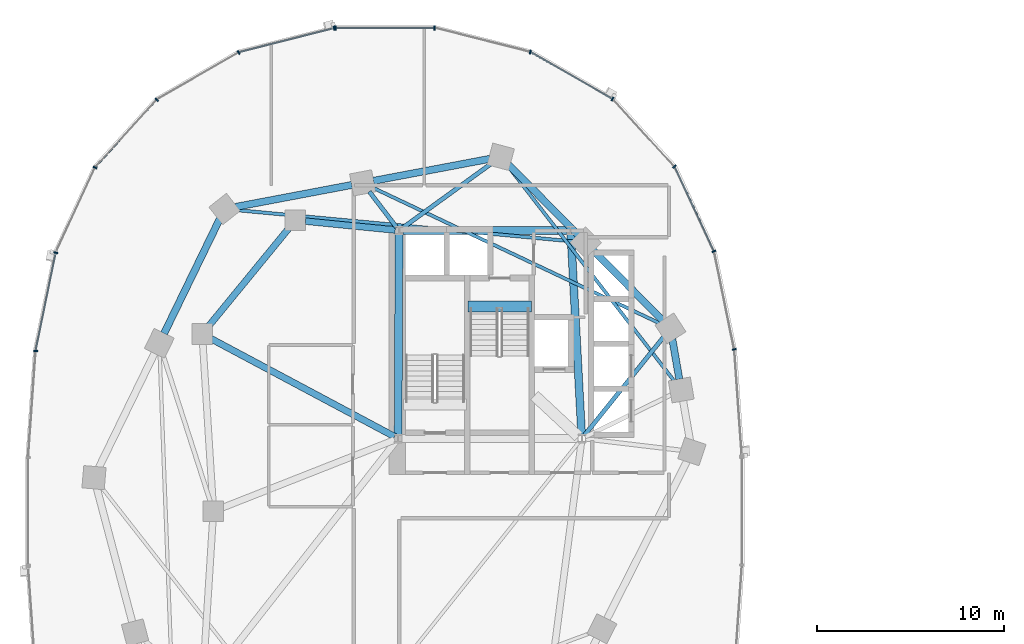
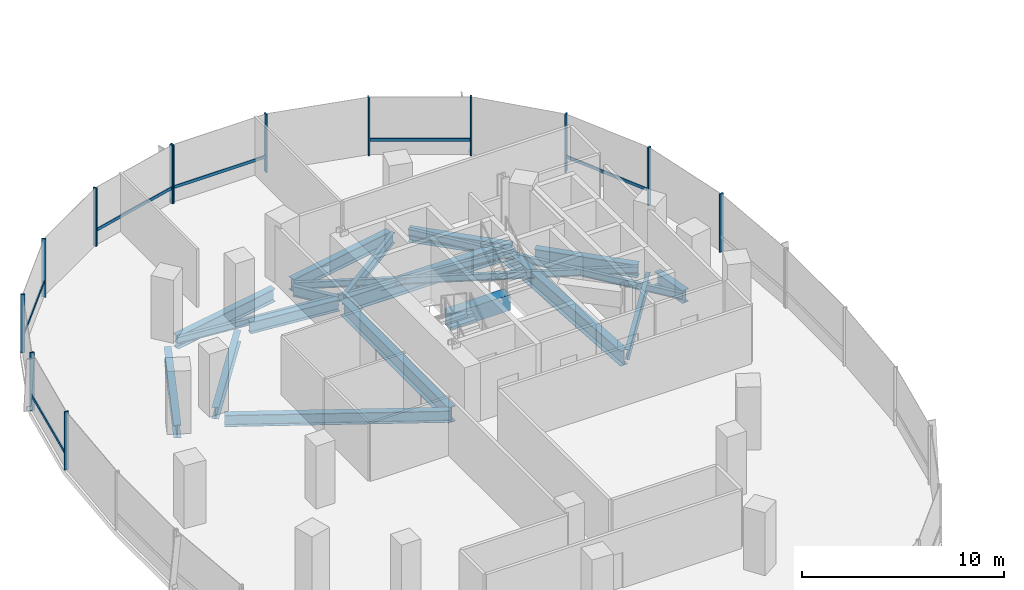
# One storey, part 4 of 21: 19 beams, 19 members, 2 elements without a shape of their own.
"""IFC4 building model written with IfcOpenShell, lengths in metres."""

from ifc_helpers import new_model, si_unit, direction, frame, origin, origin_2d, place, context, subcontext, project, spatial, rectangle, i_section, extrude, material, material_profile, profile_set, type_object, element, aggregate, save


model = new_model("IFC4")

# Units and contexts
model_context = context("Model", 3, precision=1e-05, world=origin(), true_north=direction((0.0, 1.0)))
body_context = subcontext(model_context, "Body", "Model", "MODEL_VIEW")
ifc_project = project(units=[si_unit("LENGTHUNIT", "METRE"), si_unit("AREAUNIT", "SQUARE_METRE"), si_unit("VOLUMEUNIT", "CUBIC_METRE"), si_unit("PLANEANGLEUNIT", "RADIAN"), si_unit("MASSUNIT", "GRAM", prefix="KILO"), si_unit("THERMODYNAMICTEMPERATUREUNIT", "KELVIN"), si_unit("POWERUNIT", "WATT")], contexts=[model_context])

# Site, building, storey
site_placement = place(None, origin())
site = spatial("IfcSite", under=ifc_project, at=site_placement, CompositionType="ELEMENT")
building_placement = place(site_placement, origin())
building = spatial("IfcBuilding", under=site, at=building_placement, Name="Cundina Bronze Exchange", CompositionType="ELEMENT")
storey_placement = place(building_placement, frame((0.0, 0.0, 73.39990234375)))
storey = spatial("IfcBuildingStorey", under=building, at=storey_placement, Name="L18", CompositionType="ELEMENT", Elevation=73.39990234375)

# Beams
ifc_material_1 = material(Name="Concrete C60/75", Category="concrete")
ifc_material_profile_1 = material_profile(ifc_material_1, rectangle(XDim=0.60009765625, YDim=0.949951171875, at=origin_2d()), Name="RC600X950", Category="concrete")
ifc_profile_set_1 = profile_set([ifc_material_profile_1], Name="Concrete C60/75")
beam_type_1 = type_object("IfcBeamType", Name="BM-COUP-RC950", PredefinedType="LINTEL", material=ifc_profile_set_1)
beam_1_placement = place(storey_placement, frame((-27.56005859375, 10.97998046875, -0.474853515625), z_axis=(1.0, 0.0, 0.0), x_axis=(0.0, 1.0, 0.0)))
element("IfcBeam", 1, at=beam_1_placement, inside=storey, type_object=beam_type_1, Name="L18 Stair W2 Landing Header Beam", PredefinedType="LINTEL", context=body_context, shape_type="SweptSolid", body=[
    extrude(rectangle(XDim=0.60009765625, YDim=0.949951171875, at=origin_2d()), origin(), (0.0, 0.0, 1.0), 3.400146484375),
])
ifc_material_2 = material(Name="Steel ASTM A992 Grade 50", Category="steel")
ifc_material_profile_2 = material_profile(ifc_material_2, i_section(OverallWidth=0.22998046875, OverallDepth=0.616943359375, WebThickness=0.01318359375, FlangeThickness=0.022216796875, FilletRadius=0.013916015625, at=origin_2d()), Name="W24X94", Category="steel")
ifc_profile_set_2 = profile_set([ifc_material_profile_2], Name="Steel ASTM A992 Grade 50")
beam_type_2 = type_object("IfcBeamType", Name="BM-FLR-W24B", PredefinedType="BEAM", material=ifc_profile_set_2)
beam_2_placement = place(storey_placement, frame((-21.322021484375, 4.058837890625, -0.6083984375), z_axis=(0.627106366175, 0.778933633568, 0.0), x_axis=(-0.778933633568, 0.627106366175, 0.0)))
element("IfcBeam", 2, at=beam_2_placement, inside=storey, type_object=beam_type_2, Name="L18 Leg W Radial Floor Beam 02", PredefinedType="BEAM", context=body_context, shape_type="SweptSolid", body=[
    extrude(i_section(OverallWidth=0.22998046875, OverallDepth=0.616943359375, WebThickness=0.01318359375, FlangeThickness=0.022216796875, FilletRadius=0.013916015625, at=origin_2d()), origin(), (0.0, 0.0, 1.0), 6.78271484375),
])
beam_3_placement = place(storey_placement, frame((-31.084716796875, 15.169677734375, -0.6083984375), z_axis=(0.809700299677, 0.586843611794, 0.0), x_axis=(-0.586843611794, 0.809700299677, 0.0)))
element("IfcBeam", 3, at=beam_3_placement, inside=storey, type_object=beam_type_2, Name="L18 Leg W Radial Floor Beam 04", PredefinedType="BEAM", context=body_context, shape_type="SweptSolid", body=[
    extrude(i_section(OverallWidth=0.22998046875, OverallDepth=0.616943359375, WebThickness=0.01318359375, FlangeThickness=0.022216796875, FilletRadius=0.013916015625, at=origin_2d()), origin(), (0.0, 0.0, 1.0), 5.938720703125),
])
beam_4_placement = place(storey_placement, frame((-31.373779296875, 15.2119140625, -0.6083984375), z_axis=(-0.607468844289, 0.794343504548, 0.0), x_axis=(-0.794343504548, -0.607468844289, 0.0)))
element("IfcBeam", 4, at=beam_4_placement, inside=storey, type_object=beam_type_2, Name="L18 Leg W Radial Floor Beam 05", PredefinedType="BEAM", context=body_context, shape_type="SweptSolid", body=[
    extrude(i_section(OverallWidth=0.22998046875, OverallDepth=0.616943359375, WebThickness=0.01318359375, FlangeThickness=0.022216796875, FilletRadius=0.013916015625, at=origin_2d()), origin(), (0.0, 0.0, 1.0), 2.418212890625),
])
ifc_material_profile_3 = material_profile(ifc_material_2, i_section(OverallWidth=0.178955078125, OverallDepth=0.409912109375, WebThickness=0.0087890625, FlangeThickness=0.014404296875, FilletRadius=0.010986328125, at=origin_2d()), Name="W16X45", Category="steel")
ifc_profile_set_3 = profile_set([ifc_material_profile_3], Name="Steel ASTM A992 Grade 50")
beam_type_3 = type_object("IfcBeamType", Name="BM-JST-W16", PredefinedType="JOIST", material=ifc_profile_set_3)
beam_5_placement = place(storey_placement, frame((-16.48486328125, 6.965087890625, -0.5048828125), z_axis=(-0.612089386305, 0.790788583108, 0.0), x_axis=(-0.790788583108, -0.612089386305, 0.0)))
element("IfcBeam", 5, at=beam_5_placement, inside=storey, type_object=beam_type_3, Name="L18 Leg W Lobe Floor Joist 01-04", PredefinedType="JOIST", context=body_context, shape_type="SweptSolid", body=[
    extrude(i_section(OverallWidth=0.178955078125, OverallDepth=0.409912109375, WebThickness=0.0087890625, FlangeThickness=0.014404296875, FilletRadius=0.010986328125, at=origin_2d()), origin(), (0.0, 0.0, 1.0), 14.630859375),
])
beam_6_placement = place(storey_placement, frame((-17.231689453125, 10.05126953125, -0.5048828125), z_axis=(-0.904072668297, 0.427378766949, 0.0), x_axis=(-0.427378766949, -0.904072668297, 0.0)))
element("IfcBeam", 6, at=beam_6_placement, inside=storey, type_object=beam_type_3, Name="L18 Leg W Lobe Floor Joist 02-05", PredefinedType="JOIST", context=body_context, shape_type="SweptSolid", body=[
    extrude(i_section(OverallWidth=0.178955078125, OverallDepth=0.409912109375, WebThickness=0.0087890625, FlangeThickness=0.014404296875, FilletRadius=0.010986328125, at=origin_2d()), origin(), (0.0, 0.0, 1.0), 17.07470703125),
])
beam_7_placement = place(storey_placement, frame((-21.83544921875, 14.45458984375, -0.5048828125), z_axis=(-0.995701961644, 0.09261535282, 0.0), x_axis=(-0.09261535282, -0.995701961644, 0.0)))
element("IfcBeam", 7, at=beam_7_placement, inside=storey, type_object=beam_type_3, Name="L18 Leg W Lobe Floor Joist 03-06", PredefinedType="JOIST", context=body_context, shape_type="SweptSolid", body=[
    extrude(i_section(OverallWidth=0.178955078125, OverallDepth=0.409912109375, WebThickness=0.0087890625, FlangeThickness=0.014404296875, FilletRadius=0.010986328125, at=origin_2d()), origin(), (0.0, 0.0, 1.0), 18.25732421875),
])
ifc_material_profile_4 = material_profile(ifc_material_2, i_section(OverallWidth=0.35498046875, OverallDepth=0.695068359375, WebThickness=0.015380859375, FlangeThickness=0.02490234375, FilletRadius=0.01806640625, at=origin_2d()), Name="W27X146", Category="steel")
ifc_profile_set_4 = profile_set([ifc_material_profile_4], Name="Steel ASTM A992 Grade 50")
beam_type_4 = type_object("IfcBeamType", Name="BM-RING-W27", PredefinedType="USERDEFINED", material=ifc_profile_set_4)
beam_8_placement = place(storey_placement, frame((-31.452880859375, 15.070068359375, -0.6474609375), z_axis=(-0.995126271817, 0.098608839051, 0.0), x_axis=(-0.098608839051, -0.995126271817, 0.0)))
element("IfcBeam", 8, at=beam_8_placement, inside=storey, type_object=beam_type_4, Name="L18 W Inner Structural Ring Girder 01", ObjectType="GIRDER", PredefinedType="USERDEFINED", context=body_context, shape_type="SweptSolid", body=[
    extrude(i_section(OverallWidth=0.35498046875, OverallDepth=0.695068359375, WebThickness=0.015380859375, FlangeThickness=0.02490234375, FilletRadius=0.01806640625, at=origin_2d()), origin(), (0.0, 0.0, 1.0), 4.83544921875),
])
beam_9_placement = place(storey_placement, frame((-37.14111328125, 15.183837890625, -0.6474609375), z_axis=(-0.633926549035, -0.773393257295, 0.0), x_axis=(0.773393257295, -0.633926549035, 0.0)))
element("IfcBeam", 9, at=beam_9_placement, inside=storey, type_object=beam_type_4, Name="L18 W Inner Structural Ring Girder 02", ObjectType="GIRDER", PredefinedType="USERDEFINED", context=body_context, shape_type="SweptSolid", body=[
    extrude(i_section(OverallWidth=0.35498046875, OverallDepth=0.695068359375, WebThickness=0.015380859375, FlangeThickness=0.02490234375, FilletRadius=0.01806640625, at=origin_2d()), origin(), (0.0, 0.0, 1.0), 6.811279296875),
])
beam_10_placement = place(storey_placement, frame((-31.47998046875, 3.99609375, -0.6474609375), z_axis=(-0.882354758239, 0.470584828286, 0.0), x_axis=(-0.470584828286, -0.882354758239, 0.0)))
element("IfcBeam", 10, at=beam_10_placement, inside=storey, type_object=beam_type_4, Name="L18 W Core-to-Waist Tie Beam 2", ObjectType="GIRDER", PredefinedType="USERDEFINED", context=body_context, shape_type="SweptSolid", body=[
    extrude(i_section(OverallWidth=0.35498046875, OverallDepth=0.695068359375, WebThickness=0.015380859375, FlangeThickness=0.02490234375, FilletRadius=0.01806640625, at=origin_2d()), origin(), (0.0, 0.0, 1.0), 11.157958984375),
])
ifc_material_profile_5 = material_profile(ifc_material_2, i_section(OverallWidth=0.381103515625, OverallDepth=0.77294921875, WebThickness=0.0166015625, FlangeThickness=0.027099609375, FilletRadius=0.01904296875, at=origin_2d()), Name="W30X173", Category="steel")
ifc_profile_set_5 = profile_set([ifc_material_profile_5], Name="Steel ASTM A992 Grade 50")
beam_type_5 = type_object("IfcBeamType", Name="BM-RING-W30", PredefinedType="USERDEFINED", material=ifc_profile_set_5)
beam_11_placement = place(storey_placement, frame((-16.225830078125, 7.079345703125, -0.6865234375), z_axis=(-0.171734584051, 0.985143254883, 0.0), x_axis=(-0.985143254883, -0.171734584051, 0.0)))
element("IfcBeam", 11, at=beam_11_placement, inside=storey, type_object=beam_type_5, Name="L18 W Perimeter Ring Girder 01", ObjectType="GIRDER", PredefinedType="USERDEFINED", context=body_context, shape_type="SweptSolid", body=[
    extrude(i_section(OverallWidth=0.381103515625, OverallDepth=0.77294921875, WebThickness=0.0166015625, FlangeThickness=0.027099609375, FilletRadius=0.01904296875, at=origin_2d()), origin(), (0.0, 0.0, 1.0), 2.173583984375),
])
for number, where, z_axis, x_axis, name in (
    (12, (-17.113525390625, 10.218017578125, -0.6865234375), (-0.703222428859, 0.710969911845, 0.0), (-0.710969911845, -0.703222428859, 0.0), "L18 W Perimeter Ring Girder 02"),
    (13, (-21.66357421875, 14.818115234375, -0.6865234375), (-0.703222428859, 0.710969911845, 0.0), (-0.710969911845, -0.703222428859, 0.0), "L18 W Perimeter Ring Girder 03"),
):
    element("IfcBeam", number, at=place(storey_placement, frame(where, z_axis=z_axis, x_axis=x_axis)), inside=storey, type_object=beam_type_5, Name=name, ObjectType="GIRDER", PredefinedType="USERDEFINED", context=body_context, shape_type="SweptSolid", body=[
        extrude(i_section(OverallWidth=0.381103515625, OverallDepth=0.77294921875, WebThickness=0.0166015625, FlangeThickness=0.027099609375, FilletRadius=0.01904296875, at=origin_2d()), origin(), (0.0, 0.0, 1.0), 5.2939453125),
    ])
beam_12_placement = place(storey_placement, frame((-26.377685546875, 18.890625, -0.6865234375), z_axis=(-0.982570814598, -0.185888661031, 0.0), x_axis=(0.185888661031, -0.982570814598, 0.0)))
element("IfcBeam", 14, at=beam_12_placement, inside=storey, type_object=beam_type_5, Name="L18 W Perimeter Ring Girder 04", ObjectType="GIRDER", PredefinedType="USERDEFINED", context=body_context, shape_type="SweptSolid", body=[
    extrude(i_section(OverallWidth=0.381103515625, OverallDepth=0.77294921875, WebThickness=0.0166015625, FlangeThickness=0.027099609375, FilletRadius=0.01904296875, at=origin_2d()), origin(), (0.0, 0.0, 1.0), 6.35546875),
])
beam_13_placement = place(storey_placement, frame((-33.77783203125, 17.49072265625, -0.6865234375), z_axis=(-0.982569487119, -0.185895677686, 0.0), x_axis=(0.185895677686, -0.982569487119, 0.0)))
element("IfcBeam", 15, at=beam_13_placement, inside=storey, type_object=beam_type_5, Name="L18 W Perimeter Ring Girder 05", ObjectType="GIRDER", PredefinedType="USERDEFINED", context=body_context, shape_type="SweptSolid", body=[
    extrude(i_section(OverallWidth=0.381103515625, OverallDepth=0.77294921875, WebThickness=0.0166015625, FlangeThickness=0.027099609375, FilletRadius=0.01904296875, at=origin_2d()), origin(), (0.0, 0.0, 1.0), 6.355224609375),
])
beam_14_placement = place(storey_placement, frame((-40.857177734375, 15.671142578125, -0.6865234375), z_axis=(-0.437190698904, -0.899368830231, 0.0), x_axis=(0.899368830231, -0.437190698904, 0.0)))
element("IfcBeam", 16, at=beam_14_placement, inside=storey, type_object=beam_type_5, Name="L18 W Perimeter Ring Girder 06", ObjectType="GIRDER", PredefinedType="USERDEFINED", context=body_context, shape_type="SweptSolid", body=[
    extrude(i_section(OverallWidth=0.381103515625, OverallDepth=0.77294921875, WebThickness=0.0166015625, FlangeThickness=0.027099609375, FilletRadius=0.01904296875, at=origin_2d()), origin(), (0.0, 0.0, 1.0), 6.82958984375),
])
ifc_material_profile_6 = material_profile(ifc_material_2, i_section(OverallWidth=0.41796875, OverallDepth=0.927001953125, WebThickness=0.019287109375, FlangeThickness=0.031982421875, FilletRadius=0.02392578125, at=origin_2d()), Name="W36X231", Category="steel")
ifc_profile_set_6 = profile_set([ifc_material_profile_6], Name="Steel ASTM A992 Grade 50")
beam_type_6 = type_object("IfcBeamType", Name="BM-WRN-W36B", PredefinedType="USERDEFINED", material=ifc_profile_set_6)
beam_15_placement = place(storey_placement, frame((-21.4609375, 4.103759765625, -0.763427734375), z_axis=(-0.053739193498, 0.998555005537, 0.0), x_axis=(-0.998555005537, -0.053739193498, 0.0)))
element("IfcBeam", 17, at=beam_15_placement, inside=storey, type_object=beam_type_6, Name="L18 W Core Perimeter Tie Girder 2", ObjectType="GIRDER", PredefinedType="USERDEFINED", context=body_context, shape_type="SweptSolid", body=[
    extrude(i_section(OverallWidth=0.41796875, OverallDepth=0.927001953125, WebThickness=0.019287109375, FlangeThickness=0.031982421875, FilletRadius=0.02392578125, at=origin_2d()), origin(), (0.0, 0.0, 1.0), 10.758056640625),
])
beam_16_placement = place(storey_placement, frame((-22.25390625, 15.050048828125, -0.763427734375), z_axis=(-1.0, 0.0, 0.0), x_axis=(0.0, -1.0, 0.0)))
element("IfcBeam", 18, at=beam_16_placement, inside=storey, type_object=beam_type_6, Name="L18 W Core Perimeter Tie Girder 3", ObjectType="GIRDER", PredefinedType="USERDEFINED", context=body_context, shape_type="SweptSolid", body=[
    extrude(i_section(OverallWidth=0.41796875, OverallDepth=0.927001953125, WebThickness=0.019287109375, FlangeThickness=0.031982421875, FilletRadius=0.02392578125, at=origin_2d()), origin(), (0.0, 0.0, 1.0), 8.7919921875),
])
beam_17_placement = place(storey_placement, frame((-31.2509765625, 14.845947265625, -0.763427734375), z_axis=(-0.004477329608, -0.99998997671, 0.0), x_axis=(0.99998997671, -0.004477329608, 0.0)))
element("IfcBeam", 19, at=beam_17_placement, inside=storey, type_object=beam_type_6, Name="L18 W Core Perimeter Tie Girder 4", ObjectType="GIRDER", PredefinedType="USERDEFINED", context=body_context, shape_type="SweptSolid", body=[
    extrude(i_section(OverallWidth=0.41796875, OverallDepth=0.927001953125, WebThickness=0.019287109375, FlangeThickness=0.031982421875, FilletRadius=0.02392578125, at=origin_2d()), origin(), (0.0, 0.0, 1.0), 10.741943359375),
])

# Curtain wall, members
ifc_material_3 = material(Name="Anodised Bronze Aluminium 6063-T6", Category="aluminium")
curtain_wall_type = type_object("IfcCurtainWallType", Name="CWS-TRD-LOW", PredefinedType="NOTDEFINED", material=ifc_material_3)
curtain_wall_1_placement = place(storey_placement, origin())
curtain_wall_1 = element("IfcCurtainWall", 20, at=curtain_wall_1_placement, inside=storey, type_object=curtain_wall_type, Name="L18 CW-02 Curtain Wall Run CWR-L18-W1", PredefinedType="NOTDEFINED")
ifc_material_profile_7 = material_profile(ifc_material_3, rectangle(XDim=0.074951171875, YDim=0.219970703125, at=origin_2d()), Name="AL75X220", Category="aluminium")
ifc_profile_set_7 = profile_set([ifc_material_profile_7], Name="Anodised Bronze Aluminium 6063-T6")
member_type_1 = type_object("IfcMemberType", Name="CWM-MUL-220", PredefinedType="MULLION", material=ifc_profile_set_7)
member_1_placement = place(storey_placement, frame((-13.282958984375, 8.67822265625, 0.0), z_axis=(0.0, 0.0, 1.0), x_axis=(-0.201419845156, 0.979505000486, 0.0)))
member_1 = element("IfcMember", 21, at=member_1_placement, type_object=member_type_1, Name="CW-02 Mullion 2", PredefinedType="MULLION", context=body_context, shape_type="SweptSolid", body=[
    extrude(rectangle(XDim=0.074951171875, YDim=0.219970703125, at=origin_2d()), origin(), (0.0, 0.0, 1.0), 3.52001953125),
])
member_2_placement = place(storey_placement, frame((-14.3720703125, 13.931884765625, 0.0), z_axis=(0.0, 0.0, 1.0), x_axis=(-0.42087749791, 0.907117485088, 0.0)))
member_2 = element("IfcMember", 22, at=member_2_placement, type_object=member_type_1, Name="CW-02 Mullion 3", PredefinedType="MULLION", context=body_context, shape_type="SweptSolid", body=[
    extrude(rectangle(XDim=0.074951171875, YDim=0.219970703125, at=origin_2d()), origin(), (0.0, 0.0, 1.0), 3.52001953125),
])
member_3_placement = place(storey_placement, frame((-16.491455078125, 18.47705078125, 0.0), z_axis=(0.0, 0.0, 1.0), x_axis=(-0.674302387584, 0.738455340626, 0.0)))
member_3 = element("IfcMember", 23, at=member_3_placement, type_object=member_type_1, Name="CW-02 Mullion 4", PredefinedType="MULLION", context=body_context, shape_type="SweptSolid", body=[
    extrude(rectangle(XDim=0.074951171875, YDim=0.219970703125, at=origin_2d()), origin(), (0.0, 0.0, 1.0), 3.52001953125),
])
member_4_placement = place(storey_placement, frame((-19.810302734375, 22.097412109375, 0.0), z_axis=(0.0, 0.0, 1.0), x_axis=(-0.867070701164, 0.498185105339, 0.0)))
member_4 = element("IfcMember", 24, at=member_4_placement, type_object=member_type_1, Name="CW-02 Mullion 5", PredefinedType="MULLION", context=body_context, shape_type="SweptSolid", body=[
    extrude(rectangle(XDim=0.074951171875, YDim=0.219970703125, at=origin_2d()), origin(), (0.0, 0.0, 1.0), 3.52001953125),
])
member_5_placement = place(storey_placement, frame((-24.21484375, 24.61669921875, 0.0), z_axis=(0.0, 0.0, 1.0), x_axis=(-0.969488149345, 0.245138182011, 0.0)))
member_5 = element("IfcMember", 25, at=member_5_placement, type_object=member_type_1, Name="CW-02 Mullion 6", PredefinedType="MULLION", context=body_context, shape_type="SweptSolid", body=[
    extrude(rectangle(XDim=0.074951171875, YDim=0.219970703125, at=origin_2d()), origin(), (0.0, 0.0, 1.0), 3.52001953125),
])
member_6_placement = place(storey_placement, frame((-29.345458984375, 25.905029296875, 0.0), z_axis=(0.0, 0.0, 1.0), x_axis=(-1.0, 0.0, 0.0)))
member_6 = element("IfcMember", 26, at=member_6_placement, type_object=member_type_1, Name="CW-02 Mullion 7", PredefinedType="MULLION", context=body_context, shape_type="SweptSolid", body=[
    extrude(rectangle(XDim=0.074951171875, YDim=0.219970703125, at=origin_2d()), origin(), (0.0, 0.0, 1.0), 3.52001953125),
])
member_7_placement = place(storey_placement, frame((-34.654541015625, 25.905029296875, 0.0), z_axis=(0.0, 0.0, 1.0), x_axis=(-1.0, 0.0, 0.0)))
member_7 = element("IfcMember", 27, at=member_7_placement, type_object=member_type_1, Name="CW-02 End Mullion", PredefinedType="MULLION", context=body_context, shape_type="SweptSolid", body=[
    extrude(rectangle(XDim=0.074951171875, YDim=0.219970703125, at=origin_2d()), origin(), (0.0, 0.0, 1.0), 3.52001953125),
])

curtain_wall_2_placement = place(storey_placement, origin())
curtain_wall_2 = element("IfcCurtainWall", 28, at=curtain_wall_2_placement, inside=storey, type_object=curtain_wall_type, Name="L18 CW-02 Curtain Wall Run CWR-L18-W2", PredefinedType="NOTDEFINED")
member_8_placement = place(storey_placement, frame((-34.72607421875, 25.89599609375, 0.0), z_axis=(0.0, 0.0, 1.0), x_axis=(-0.969488149345, -0.245138182011, 0.0)))
member_8 = element("IfcMember", 29, at=member_8_placement, type_object=member_type_1, Name="CW-02 Mullion 1", PredefinedType="MULLION", context=body_context, shape_type="SweptSolid", body=[
    extrude(rectangle(XDim=0.074951171875, YDim=0.219970703125, at=origin_2d()), origin(), (0.0, 0.0, 1.0), 3.52001953125),
])
member_9_placement = place(storey_placement, frame((-39.848876953125, 24.591064453125, 0.0), z_axis=(0.0, 0.0, 1.0), x_axis=(-0.867070701164, -0.498185105339, 0.0)))
member_9 = element("IfcMember", 30, at=member_9_placement, type_object=member_type_1, Name="CW-02 Mullion 2", PredefinedType="MULLION", context=body_context, shape_type="SweptSolid", body=[
    extrude(rectangle(XDim=0.074951171875, YDim=0.219970703125, at=origin_2d()), origin(), (0.0, 0.0, 1.0), 3.52001953125),
])
member_10_placement = place(storey_placement, frame((-44.239501953125, 22.0576171875, 0.0), z_axis=(0.0, 0.0, 1.0), x_axis=(-0.674302387584, -0.738455340626, 0.0)))
member_10 = element("IfcMember", 31, at=member_10_placement, type_object=member_type_1, Name="CW-02 Mullion 3", PredefinedType="MULLION", context=body_context, shape_type="SweptSolid", body=[
    extrude(rectangle(XDim=0.074951171875, YDim=0.219970703125, at=origin_2d()), origin(), (0.0, 0.0, 1.0), 3.52001953125),
])
member_11_placement = place(storey_placement, frame((-47.544189453125, 18.423583984375, 0.0), z_axis=(0.0, 0.0, 1.0), x_axis=(-0.42087749791, -0.907117485088, 0.0)))
member_11 = element("IfcMember", 32, at=member_11_placement, type_object=member_type_1, Name="CW-02 Mullion 4", PredefinedType="MULLION", context=body_context, shape_type="SweptSolid", body=[
    extrude(rectangle(XDim=0.074951171875, YDim=0.219970703125, at=origin_2d()), origin(), (0.0, 0.0, 1.0), 3.52001953125),
])
member_12_placement = place(storey_placement, frame((-49.651123046875, 13.861328125, 0.0), z_axis=(0.0, 0.0, 1.0), x_axis=(-0.201419845156, -0.979505000486, 0.0)))
member_12 = element("IfcMember", 33, at=member_12_placement, type_object=member_type_1, Name="CW-02 Mullion 5", PredefinedType="MULLION", context=body_context, shape_type="SweptSolid", body=[
    extrude(rectangle(XDim=0.074951171875, YDim=0.219970703125, at=origin_2d()), origin(), (0.0, 0.0, 1.0), 3.52001953125),
])
member_13_placement = place(storey_placement, frame((-50.72900390625, 8.591552734375, 0.0), z_axis=(0.0, 0.0, 1.0), x_axis=(-0.070278787473, -0.997527389113, 0.0)))
member_13 = element("IfcMember", 34, at=member_13_placement, type_object=member_type_1, Name="CW-02 Mullion 6", PredefinedType="MULLION", context=body_context, shape_type="SweptSolid", body=[
    extrude(rectangle(XDim=0.074951171875, YDim=0.219970703125, at=origin_2d()), origin(), (0.0, 0.0, 1.0), 3.52001953125),
])

# Member
ifc_material_profile_8 = material_profile(ifc_material_3, rectangle(XDim=0.070068359375, YDim=0.179931640625, at=origin_2d()), Name="AL70X180", Category="aluminium")
ifc_profile_set_8 = profile_set([ifc_material_profile_8], Name="Anodised Bronze Aluminium 6063-T6")
member_type_2 = type_object("IfcMemberType", Name="CWM-TRN-180", PredefinedType="USERDEFINED", material=ifc_profile_set_8)
member_14_placement = place(storey_placement, frame((-14.389404296875, 13.96923828125, 0.920166015625), z_axis=(-0.420811422796, 0.907148139195, 0.0), x_axis=(-0.907148139195, -0.420811422796, 0.0)))
member_14 = element("IfcMember", 35, at=member_14_placement, type_object=member_type_2, Name="CW-02 Spandrel Transom 3", ObjectType="TRANSOM", PredefinedType="USERDEFINED", context=body_context, shape_type="SweptSolid", body=[
    extrude(rectangle(XDim=0.070068359375, YDim=0.179931640625, at=origin_2d()), origin(), (0.0, 0.0, 1.0), 4.95166015625),
])

member_15_placement = place(storey_placement, frame((-19.845947265625, 22.117919921875, 0.920166015625), z_axis=(-0.867097475651, 0.498138502546, 0.0), x_axis=(-0.498138502546, -0.867097475651, 0.0)))
member_15 = element("IfcMember", 36, at=member_15_placement, type_object=member_type_2, Name="CW-02 Spandrel Transom 5", ObjectType="TRANSOM", PredefinedType="USERDEFINED", context=body_context, shape_type="SweptSolid", body=[
    extrude(rectangle(XDim=0.070068359375, YDim=0.179931640625, at=origin_2d()), origin(), (0.0, 0.0, 1.0), 5.00634765625),
])

member_16_placement = place(storey_placement, frame((-29.38671875, 25.905029296875, 0.920166015625), z_axis=(-1.0, 0.0, 0.0), x_axis=(0.0, -1.0, 0.0)))
member_16 = element("IfcMember", 37, at=member_16_placement, type_object=member_type_2, Name="CW-02 Spandrel Transom 7", ObjectType="TRANSOM", PredefinedType="USERDEFINED", context=body_context, shape_type="SweptSolid", body=[
    extrude(rectangle(XDim=0.070068359375, YDim=0.179931640625, at=origin_2d()), origin(), (0.0, 0.0, 1.0), 5.2265625),
])

aggregate(curtain_wall_1, [member_1, member_2, member_14, member_3, member_4, member_15, member_5, member_6, member_7, member_16])

member_17_placement = place(storey_placement, frame((-34.76611328125, 25.885986328125, 0.920166015625), z_axis=(-0.969483968866, -0.245154714644, 0.0), x_axis=(0.245154714644, -0.969483968866, 0.0)))
member_17 = element("IfcMember", 38, at=member_17_placement, type_object=member_type_2, Name="CW-02 Spandrel Transom 1", ObjectType="TRANSOM", PredefinedType="USERDEFINED", context=body_context, shape_type="SweptSolid", body=[
    extrude(rectangle(XDim=0.070068359375, YDim=0.179931640625, at=origin_2d()), origin(), (0.0, 0.0, 1.0), 5.21826171875),
])

member_18_placement = place(storey_placement, frame((-44.26708984375, 22.027099609375, 0.920166015625), z_axis=(-0.674302794847, -0.738454968743, 0.0), x_axis=(0.738454968743, -0.674302794847, 0.0)))
member_18 = element("IfcMember", 39, at=member_18_placement, type_object=member_type_2, Name="CW-02 Spandrel Transom 3", ObjectType="TRANSOM", PredefinedType="USERDEFINED", context=body_context, shape_type="SweptSolid", body=[
    extrude(rectangle(XDim=0.070068359375, YDim=0.179931640625, at=origin_2d()), origin(), (0.0, 0.0, 1.0), 4.848388671875),
])

member_19_placement = place(storey_placement, frame((-49.659423828125, 13.821044921875, 0.920166015625), z_axis=(-0.201427712708, -0.979503382615, 0.0), x_axis=(0.979503382615, -0.201427712708, 0.0)))
member_19 = element("IfcMember", 40, at=member_19_placement, type_object=member_type_2, Name="CW-02 Spandrel Transom 5", ObjectType="TRANSOM", PredefinedType="USERDEFINED", context=body_context, shape_type="SweptSolid", body=[
    extrude(rectangle(XDim=0.070068359375, YDim=0.179931640625, at=origin_2d()), origin(), (0.0, 0.0, 1.0), 5.291748046875),
])

aggregate(curtain_wall_2, [member_8, member_17, member_9, member_10, member_18, member_11, member_12, member_19, member_13])

save(model, "model.ifc")
